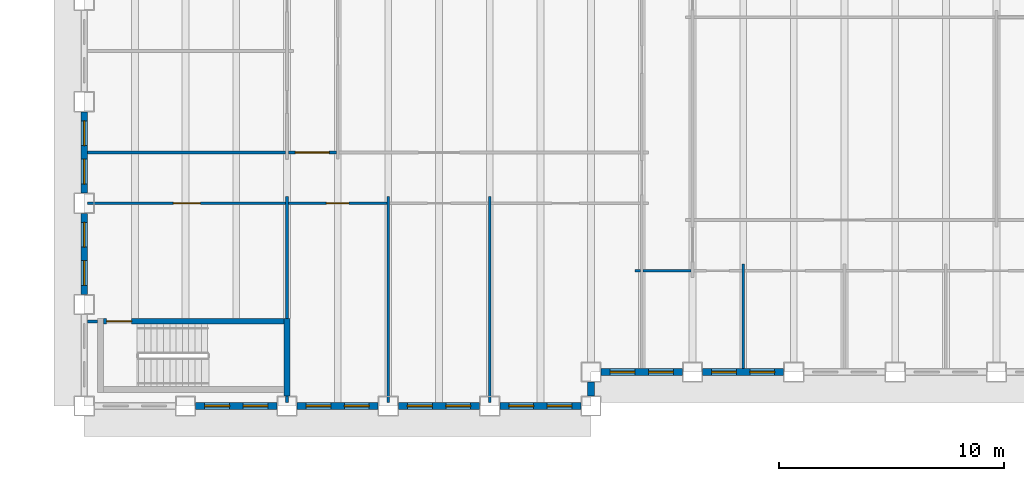
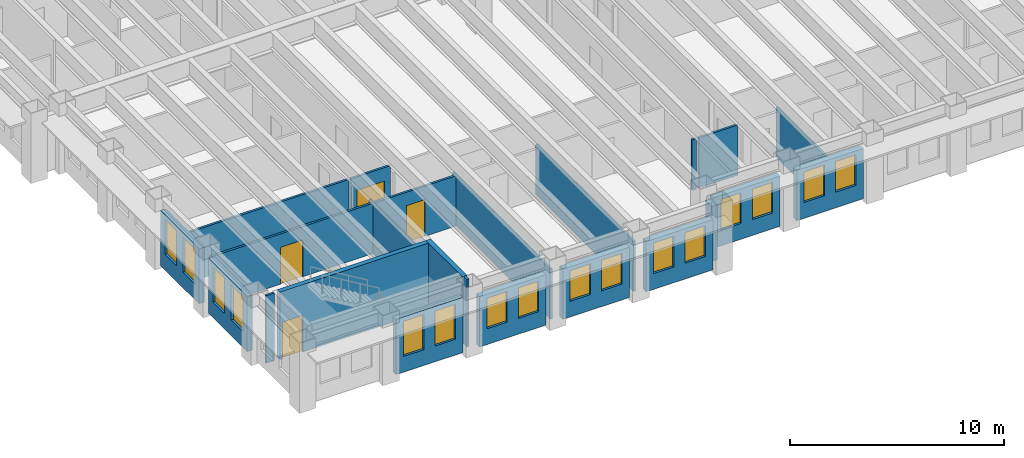
# One storey, part 3 of 16: 23 walls, 16 windows, 4 doors, 20 openings.
"""IFC4 building model written with IfcOpenShell, lengths in metres."""

from ifc_helpers import new_model, si_unit, direction, frame, frame_2d, origin, place, context, subcontext, project, spatial, rectangle, extrude, material, layer, layer_set, type_object, element, fill, save


model = new_model("IFC4")

# Units and contexts
model_context = context("Model", 3, precision=1e-05, world=origin(), true_north=direction((0.0, 1.0)))
body_context = subcontext(model_context, "Body", "Model", "MODEL_VIEW")
ifc_project = project(units=[si_unit("LENGTHUNIT", "METRE"), si_unit("AREAUNIT", "SQUARE_METRE"), si_unit("VOLUMEUNIT", "CUBIC_METRE"), si_unit("PLANEANGLEUNIT", "RADIAN"), si_unit("MASSUNIT", "GRAM", prefix="KILO")], contexts=[model_context])

# Site, building, storey
site_placement = place(None, origin())
site = spatial("IfcSite", under=ifc_project, at=site_placement, CompositionType="ELEMENT")
building_placement = place(site_placement, origin())
building = spatial("IfcBuilding", under=site, at=building_placement, Name="Sennacour Bend Tower", CompositionType="ELEMENT")
storey_placement = place(building_placement, frame((0.0, 0.0, 163.0)))
storey = spatial("IfcBuildingStorey", under=building, at=storey_placement, Name="L37", CompositionType="ELEMENT", Elevation=163.0)

# Walls
ifc_material_1 = material(Name="Plasterboard partition on steel studs", Category="steel")
ifc_layer_1 = layer(ifc_material_1, 0.1201171875, Name="Plasterboard partition on steel studs", Category="steel")
ifc_layer_set_1 = layer_set([ifc_layer_1], Name="Plasterboard partition on steel studs")
wall_type_1 = type_object("IfcWallType", Name="Partition 120", PredefinedType="PARTITIONING", material=ifc_layer_set_1)
wall_1_placement = place(storey_placement, frame((9.0, 0.14990234375, 0.0), z_axis=(0.0, 0.0, 1.0), x_axis=(0.0, 1.0, 0.0)))
element("IfcWall", 1, at=wall_1_placement, inside=storey, type_object=wall_type_1, Name="P-L37-W009a", PredefinedType="PARTITIONING", context=body_context, shape_type="SweptSolid", body=[
    extrude(rectangle(XDim=0.300048828125, YDim=0.1201171875, at=frame_2d((0.14990234375, 0.0))), origin(), (0.0, 0.0, 1.0), 3.85009765625),
])
wall_2_placement = place(storey_placement, frame((9.0, 3.875, 0.0), z_axis=(0.0, 0.0, 1.0), x_axis=(0.0, 1.0, 0.0)))
element("IfcWall", 2, at=wall_2_placement, inside=storey, type_object=wall_type_1, Name="P-L37-W011a", PredefinedType="PARTITIONING", context=body_context, shape_type="SweptSolid", body=[
    extrude(rectangle(XDim=5.425048828125, YDim=0.1201171875, at=frame_2d((2.71240234375, 0.0))), origin(), (0.0, 0.0, 1.0), 2.8701171875),
])
for number, where, z_axis, x_axis, name in (
    (3, (13.5, 0.14990234375, 0.0), (0.0, 0.0, 1.0), (0.0, 1.0, 0.0), "P-L37-W016a"),
    (4, (18.0, 0.14990234375, 0.0), (0.0, 0.0, 1.0), (0.0, 1.0, 0.0), "P-L37-W019a"),
):
    element("IfcWall", number, at=place(storey_placement, frame(where, z_axis=z_axis, x_axis=x_axis)), inside=storey, type_object=wall_type_1, Name=name, PredefinedType="PARTITIONING", context=body_context, shape_type="SweptSolid", body=[
        extrude(rectangle(XDim=9.150146484375, YDim=0.1201171875, at=frame_2d((4.5751953125, 0.0))), origin(), (0.0, 0.0, 1.0), 2.8701171875),
    ])
wall_3_placement = place(storey_placement, frame((29.25, 1.64990234375, 0.0), z_axis=(0.0, 0.0, 1.0), x_axis=(0.0, 1.0, 0.0)))
element("IfcWall", 5, at=wall_3_placement, inside=storey, type_object=wall_type_1, Name="P-L37-W026a", PredefinedType="PARTITIONING", context=body_context, shape_type="SweptSolid", body=[
    extrude(rectangle(XDim=4.650146484375, YDim=0.1201171875, at=frame_2d((2.3251953125, 0.0))), origin(), (0.0, 0.0, 1.0), 2.8701171875),
])
wall_4_placement = place(storey_placement, frame((0.14990234375, 3.75, 0.0), z_axis=(0.0, 0.0, 1.0), x_axis=(1.0, 0.0, 0.0)))
element("IfcWall", 6, at=wall_4_placement, inside=storey, type_object=wall_type_1, Name="P-L37-W054a", PredefinedType="PARTITIONING", context=body_context, shape_type="SweptSolid", body=[
    extrude(rectangle(XDim=0.4501953125, YDim=0.1201171875, at=frame_2d((0.22509765625, 0.0))), origin(), (0.0, 0.0, 1.0), 3.85009765625),
])
wall_5_placement = place(storey_placement, frame((24.449951171875, 6.0, 0.0), z_axis=(0.0, 0.0, 1.0), x_axis=(1.0, 0.0, 0.0)))
element("IfcWall", 7, at=wall_5_placement, inside=storey, type_object=wall_type_1, Name="P-L37-W058aa", PredefinedType="PARTITIONING", context=body_context, shape_type="SweptSolid", body=[
    extrude(rectangle(XDim=0.239990234375, YDim=0.1201171875, at=frame_2d((0.1201171875, 0.0))), origin(), (0.0, 0.0, 1.0), 2.8701171875),
])
wall_6_placement = place(storey_placement, frame((24.81005859375, 6.0, 0.0), z_axis=(0.0, 0.0, 1.0), x_axis=(1.0, 0.0, 0.0)))
element("IfcWall", 8, at=wall_6_placement, inside=storey, type_object=wall_type_1, Name="P-L37-W058ab", PredefinedType="PARTITIONING", context=body_context, shape_type="SweptSolid", body=[
    extrude(rectangle(XDim=2.1298828125, YDim=0.1201171875, at=frame_2d((1.06494140625, 0.0))), origin(), (0.0, 0.0, 1.0), 2.8701171875),
])

# Wall, opening, door
wall_7_placement = place(storey_placement, frame((9.06005859375, 9.0, 0.0), z_axis=(0.0, 0.0, 1.0), x_axis=(1.0, 0.0, 0.0)))
wall_7 = element("IfcWall", 9, at=wall_7_placement, inside=storey, type_object=wall_type_1, Name="P-L37-W061ab", PredefinedType="PARTITIONING", context=body_context, shape_type="SweptSolid", body=[
    extrude(rectangle(XDim=4.3798828125, YDim=0.1201171875, at=frame_2d((2.18994140625, 0.0))), origin(), (0.0, 0.0, 1.0), 2.8701171875),
])
opening_1_placement = place(wall_7_placement, frame((1.68994140625, 0.0, 0.0)))
opening_1 = element("IfcOpeningElement", 10, at=opening_1_placement, cuts=wall_7, Name="Opening OD2", PredefinedType="OPENING", context=body_context, shape_type="SweptSolid", body=[
    extrude(rectangle(XDim=1.0, YDim=2.10009765625, at=frame_2d((0.5, 1.050048828125))), frame((0.0, 0.070068359375, 0.0), z_axis=(0.0, -1.0, 0.0), x_axis=(1.0, 0.0, 0.0)), (0.0, 0.0, 1.0), 0.14013671875),
])
ifc_material_2 = material(Name="Timber", Category="wood")
door_type_1 = type_object("IfcDoorType", Name="DR-OFFICE-1000", OperationType="NOTDEFINED", PredefinedType="DOOR", material=ifc_material_2)
door_1_placement = place(opening_1_placement, origin())
door_1 = element("IfcDoor", 11, at=door_1_placement, inside=storey, type_object=door_type_1, Name="Door", OperationType="SINGLE_SWING_LEFT", OverallHeight=2.10009765625, OverallWidth=1.0, PredefinedType="DOOR", context=body_context, shape_type="SweptSolid", body=[
    extrude(rectangle(XDim=1.0, YDim=2.10009765625, at=frame_2d((0.5, 1.050048828125))), frame((0.0, 0.02490234375, 0.0), z_axis=(0.0, -1.0, 0.0), x_axis=(1.0, 0.0, 0.0)), (0.0, 0.0, 1.0), 0.050048828125),
])
fill(opening_1, door_1)

# Wall
wall_8_placement = place(storey_placement, frame((0.14990234375, 11.25, 0.0), z_axis=(0.0, 0.0, 1.0), x_axis=(1.0, 0.0, 0.0)))
element("IfcWall", 12, at=wall_8_placement, inside=storey, type_object=wall_type_1, Name="P-L37-W063aa", PredefinedType="PARTITIONING", context=body_context, shape_type="SweptSolid", body=[
    extrude(rectangle(XDim=8.7900390625, YDim=0.1201171875, at=frame_2d((4.39501953125, 0.0))), origin(), (0.0, 0.0, 1.0), 2.8701171875),
])

# Wall, opening, door
ifc_layer_2 = layer(ifc_material_1, 0.1201171875, Name="Plasterboard partition on steel studs", Category="steel")
ifc_layer_set_2 = layer_set([ifc_layer_2], Name="Plasterboard partition on steel studs")
wall_type_2 = type_object("IfcWallType", Name="Partition 120 EI 30", PredefinedType="PARTITIONING", material=ifc_layer_set_2)
wall_9_placement = place(storey_placement, frame((0.14990234375, 9.0, 0.0), z_axis=(0.0, 0.0, 1.0), x_axis=(1.0, 0.0, 0.0)))
wall_9 = element("IfcWall", 13, at=wall_9_placement, inside=storey, type_object=wall_type_2, Name="P-L37-W061aa", PredefinedType="PARTITIONING", context=body_context, shape_type="SweptSolid", body=[
    extrude(rectangle(XDim=8.7900390625, YDim=0.1201171875, at=frame_2d((4.39501953125, 0.0))), origin(), (0.0, 0.0, 1.0), 2.8701171875),
])
opening_2_placement = place(wall_9_placement, frame((3.80517578125, 0.0, 0.0)))
opening_2 = element("IfcOpeningElement", 14, at=opening_2_placement, cuts=wall_9, Name="Opening KD2", PredefinedType="OPENING", context=body_context, shape_type="SweptSolid", body=[
    extrude(rectangle(XDim=1.199951171875, YDim=2.10009765625, at=frame_2d((0.60009765625, 1.050048828125))), frame((0.0, 0.070068359375, 0.0), z_axis=(0.0, -1.0, 0.0), x_axis=(1.0, 0.0, 0.0)), (0.0, 0.0, 1.0), 0.14013671875),
])
ifc_material_3 = material(Name="Painted steel", Category="steel")
door_type_2 = type_object("IfcDoorType", Name="DR-CORRIDOR-1200", OperationType="NOTDEFINED", PredefinedType="DOOR", material=ifc_material_3)
door_2_placement = place(opening_2_placement, origin())
door_2 = element("IfcDoor", 15, at=door_2_placement, inside=storey, type_object=door_type_2, Name="Door", OperationType="SINGLE_SWING_LEFT", OverallHeight=2.10009765625, OverallWidth=1.199951171875, PredefinedType="DOOR", context=body_context, shape_type="SweptSolid", body=[
    extrude(rectangle(XDim=1.199951171875, YDim=2.10009765625, at=frame_2d((0.60009765625, 1.050048828125))), frame((0.0, 0.02490234375, 0.0), z_axis=(0.0, -1.0, 0.0), x_axis=(1.0, 0.0, 0.0)), (0.0, 0.0, 1.0), 0.050048828125),
])
fill(opening_2, door_2)

wall_10_placement = place(storey_placement, frame((9.06005859375, 11.25, 0.0), z_axis=(0.0, 0.0, 1.0), x_axis=(1.0, 0.0, 0.0)))
wall_10 = element("IfcWall", 16, at=wall_10_placement, inside=storey, type_object=wall_type_2, Name="P-L37-W063ab", PredefinedType="PARTITIONING", context=body_context, shape_type="SweptSolid", body=[
    extrude(rectangle(XDim=2.1298828125, YDim=0.1201171875, at=frame_2d((1.06494140625, 0.0))), origin(), (0.0, 0.0, 1.0), 2.8701171875),
])
opening_3_placement = place(wall_10_placement, frame((0.31494140625, 0.0, 0.0)))
opening_3 = element("IfcOpeningElement", 17, at=opening_3_placement, cuts=wall_10, Name="Opening KD", PredefinedType="OPENING", context=body_context, shape_type="SweptSolid", body=[
    extrude(rectangle(XDim=1.5, YDim=2.10009765625, at=frame_2d((0.75, 1.050048828125))), frame((0.0, 0.070068359375, 0.0), z_axis=(0.0, -1.0, 0.0), x_axis=(1.0, 0.0, 0.0)), (0.0, 0.0, 1.0), 0.14013671875),
])
door_type_3 = type_object("IfcDoorType", Name="DR-CORRIDOR-1500", OperationType="NOTDEFINED", PredefinedType="DOOR", material=ifc_material_3)
door_3_placement = place(opening_3_placement, origin())
door_3 = element("IfcDoor", 18, at=door_3_placement, inside=storey, type_object=door_type_3, Name="Door", OperationType="SINGLE_SWING_LEFT", OverallHeight=2.10009765625, OverallWidth=1.5, PredefinedType="DOOR", context=body_context, shape_type="SweptSolid", body=[
    extrude(rectangle(XDim=1.5, YDim=2.10009765625, at=frame_2d((0.75, 1.050048828125))), frame((0.0, 0.02490234375, 0.0), z_axis=(0.0, -1.0, 0.0), x_axis=(1.0, 0.0, 0.0)), (0.0, 0.0, 1.0), 0.050048828125),
])
fill(opening_3, door_3)

# Wall, openings, windows
ifc_material_4 = material(Name="Warm limestone cladding", Category="masonry")
ifc_layer_3 = layer(ifc_material_4, 0.050048828125, Name="Warm limestone cladding", Category="masonry")
ifc_material_5 = material(Name="Precast concrete C40/50", Category="concrete")
ifc_layer_4 = layer(ifc_material_5, 0.25, Name="Precast concrete C40/50", Category="concrete")
ifc_layer_set_3 = layer_set([ifc_layer_3, ifc_layer_4], Name="Precast concrete C40/50 with limestone cladding")
wall_type_3 = type_object("IfcWallType", Name="STONE-CLAD PRECAST SPANDREL 300", PredefinedType="STANDARD", material=ifc_layer_set_3)
wall_11_placement = place(storey_placement, frame((4.949951171875, 0.0, 0.0), z_axis=(0.0, 0.0, 1.0), x_axis=(1.0, 0.0, 0.0)))
wall_11 = element("IfcWall", 19, at=wall_11_placement, inside=storey, type_object=wall_type_3, Name="Stone spandrel and pier wall L37 00.01", PredefinedType="STANDARD", context=body_context, shape_type="SweptSolid", body=[
    extrude(rectangle(XDim=3.60009765625, YDim=0.300048828125, at=frame_2d((1.800048828125, 0.0))), origin(), (0.0, 0.0, 1.0), 3.14892578125),
])
opening_4_placement = place(wall_11_placement, frame((0.39990234375, 0.0, 0.89990234375)))
opening_4 = element("IfcOpeningElement", 20, at=opening_4_placement, cuts=wall_11, Name="Opening W19", PredefinedType="OPENING", context=body_context, shape_type="SweptSolid", body=[
    extrude(rectangle(XDim=1.10009765625, YDim=2.0, at=frame_2d((0.550048828125, 1.0))), frame((0.0, 0.16015625, 0.0), z_axis=(0.0, -1.0, 0.0), x_axis=(1.0, 0.0, 0.0)), (0.0, 0.0, 1.0), 0.320068359375),
])
opening_5_placement = place(wall_11_placement, frame((2.10009765625, 0.0, 0.89990234375)))
opening_5 = element("IfcOpeningElement", 21, at=opening_5_placement, cuts=wall_11, Name="Opening W19", PredefinedType="OPENING", context=body_context, shape_type="SweptSolid", body=[
    extrude(rectangle(XDim=1.10009765625, YDim=2.0, at=frame_2d((0.550048828125, 1.0))), frame((0.0, 0.16015625, 0.0), z_axis=(0.0, -1.0, 0.0), x_axis=(1.0, 0.0, 0.0)), (0.0, 0.0, 1.0), 0.320068359375),
])
ifc_material_6 = material(Name="Clear low-emissivity glass", Category="glass")
window_type_1 = type_object("IfcWindowType", Name="WIN-RIBBON-1100x2000", PartitioningType="SINGLE_PANEL", PredefinedType="WINDOW", material=ifc_material_6)
window_1_placement = place(opening_4_placement, origin())
window_1 = element("IfcWindow", 22, at=window_1_placement, inside=storey, type_object=window_type_1, Name="Ribbon window L37 00.01.0", OverallHeight=2.0, OverallWidth=1.10009765625, PartitioningType="SINGLE_PANEL", PredefinedType="WINDOW", context=body_context, shape_type="SweptSolid", body=[
    extrude(rectangle(XDim=1.10009765625, YDim=2.0, at=frame_2d((0.550048828125, 1.0))), frame((0.0, 0.030029296875, 0.0), z_axis=(0.0, -1.0, 0.0), x_axis=(1.0, 0.0, 0.0)), (0.0, 0.0, 1.0), 0.06005859375),
])
fill(opening_4, window_1)
window_2_placement = place(opening_5_placement, origin())
window_2 = element("IfcWindow", 23, at=window_2_placement, inside=storey, type_object=window_type_1, Name="Ribbon window L37 00.01.1", OverallHeight=2.0, OverallWidth=1.10009765625, PartitioningType="SINGLE_PANEL", PredefinedType="WINDOW", context=body_context, shape_type="SweptSolid", body=[
    extrude(rectangle(XDim=1.10009765625, YDim=2.0, at=frame_2d((0.550048828125, 1.0))), frame((0.0, 0.030029296875, 0.0), z_axis=(0.0, -1.0, 0.0), x_axis=(1.0, 0.0, 0.0)), (0.0, 0.0, 1.0), 0.06005859375),
])
fill(opening_5, window_2)

wall_12_placement = place(storey_placement, frame((9.449951171875, 0.0, 0.0), z_axis=(0.0, 0.0, 1.0), x_axis=(1.0, 0.0, 0.0)))
wall_12 = element("IfcWall", 24, at=wall_12_placement, inside=storey, type_object=wall_type_3, Name="Stone spandrel and pier wall L37 00.02", PredefinedType="STANDARD", context=body_context, shape_type="SweptSolid", body=[
    extrude(rectangle(XDim=3.60009765625, YDim=0.300048828125, at=frame_2d((1.800048828125, 0.0))), origin(), (0.0, 0.0, 1.0), 2.8701171875),
])
opening_6_placement = place(wall_12_placement, frame((0.39990234375, 0.0, 0.89990234375)))
opening_6 = element("IfcOpeningElement", 25, at=opening_6_placement, cuts=wall_12, Name="Opening W17", PredefinedType="OPENING", context=body_context, shape_type="SweptSolid", body=[
    extrude(rectangle(XDim=1.10009765625, YDim=1.75, at=frame_2d((0.550048828125, 0.875))), frame((0.0, 0.16015625, 0.0), z_axis=(0.0, -1.0, 0.0), x_axis=(1.0, 0.0, 0.0)), (0.0, 0.0, 1.0), 0.320068359375),
])
opening_7_placement = place(wall_12_placement, frame((2.10009765625, 0.0, 0.89990234375)))
opening_7 = element("IfcOpeningElement", 26, at=opening_7_placement, cuts=wall_12, Name="Opening W17", PredefinedType="OPENING", context=body_context, shape_type="SweptSolid", body=[
    extrude(rectangle(XDim=1.10009765625, YDim=1.75, at=frame_2d((0.550048828125, 0.875))), frame((0.0, 0.16015625, 0.0), z_axis=(0.0, -1.0, 0.0), x_axis=(1.0, 0.0, 0.0)), (0.0, 0.0, 1.0), 0.320068359375),
])
window_type_2 = type_object("IfcWindowType", Name="WIN-RIBBON-1100x1750", PartitioningType="SINGLE_PANEL", PredefinedType="WINDOW", material=ifc_material_6)
window_3_placement = place(opening_6_placement, origin())
window_3 = element("IfcWindow", 27, at=window_3_placement, inside=storey, type_object=window_type_2, Name="Ribbon window L37 00.02.0", OverallHeight=1.75, OverallWidth=1.10009765625, PartitioningType="SINGLE_PANEL", PredefinedType="WINDOW", context=body_context, shape_type="SweptSolid", body=[
    extrude(rectangle(XDim=1.10009765625, YDim=1.75, at=frame_2d((0.550048828125, 0.875))), frame((0.0, 0.030029296875, 0.0), z_axis=(0.0, -1.0, 0.0), x_axis=(1.0, 0.0, 0.0)), (0.0, 0.0, 1.0), 0.06005859375),
])
fill(opening_6, window_3)
window_4_placement = place(opening_7_placement, origin())
window_4 = element("IfcWindow", 28, at=window_4_placement, inside=storey, type_object=window_type_2, Name="Ribbon window L37 00.02.1", OverallHeight=1.75, OverallWidth=1.10009765625, PartitioningType="SINGLE_PANEL", PredefinedType="WINDOW", context=body_context, shape_type="SweptSolid", body=[
    extrude(rectangle(XDim=1.10009765625, YDim=1.75, at=frame_2d((0.550048828125, 0.875))), frame((0.0, 0.030029296875, 0.0), z_axis=(0.0, -1.0, 0.0), x_axis=(1.0, 0.0, 0.0)), (0.0, 0.0, 1.0), 0.06005859375),
])
fill(opening_7, window_4)

wall_13_placement = place(storey_placement, frame((13.949951171875, 0.0, 0.0), z_axis=(0.0, 0.0, 1.0), x_axis=(1.0, 0.0, 0.0)))
wall_13 = element("IfcWall", 29, at=wall_13_placement, inside=storey, type_object=wall_type_3, Name="Stone spandrel and pier wall L37 00.03", PredefinedType="STANDARD", context=body_context, shape_type="SweptSolid", body=[
    extrude(rectangle(XDim=3.60009765625, YDim=0.300048828125, at=frame_2d((1.800048828125, 0.0))), origin(), (0.0, 0.0, 1.0), 2.8701171875),
])
opening_8_placement = place(wall_13_placement, frame((0.39990234375, 0.0, 0.89990234375)))
opening_8 = element("IfcOpeningElement", 30, at=opening_8_placement, cuts=wall_13, Name="Opening W17", PredefinedType="OPENING", context=body_context, shape_type="SweptSolid", body=[
    extrude(rectangle(XDim=1.10009765625, YDim=1.75, at=frame_2d((0.550048828125, 0.875))), frame((0.0, 0.16015625, 0.0), z_axis=(0.0, -1.0, 0.0), x_axis=(1.0, 0.0, 0.0)), (0.0, 0.0, 1.0), 0.320068359375),
])
opening_9_placement = place(wall_13_placement, frame((2.10009765625, 0.0, 0.89990234375)))
opening_9 = element("IfcOpeningElement", 31, at=opening_9_placement, cuts=wall_13, Name="Opening W17", PredefinedType="OPENING", context=body_context, shape_type="SweptSolid", body=[
    extrude(rectangle(XDim=1.10009765625, YDim=1.75, at=frame_2d((0.550048828125, 0.875))), frame((0.0, 0.16015625, 0.0), z_axis=(0.0, -1.0, 0.0), x_axis=(1.0, 0.0, 0.0)), (0.0, 0.0, 1.0), 0.320068359375),
])
window_5_placement = place(opening_8_placement, origin())
window_5 = element("IfcWindow", 32, at=window_5_placement, inside=storey, type_object=window_type_2, Name="Ribbon window L37 00.03.0", OverallHeight=1.75, OverallWidth=1.10009765625, PartitioningType="SINGLE_PANEL", PredefinedType="WINDOW", context=body_context, shape_type="SweptSolid", body=[
    extrude(rectangle(XDim=1.10009765625, YDim=1.75, at=frame_2d((0.550048828125, 0.875))), frame((0.0, 0.030029296875, 0.0), z_axis=(0.0, -1.0, 0.0), x_axis=(1.0, 0.0, 0.0)), (0.0, 0.0, 1.0), 0.06005859375),
])
fill(opening_8, window_5)
window_6_placement = place(opening_9_placement, origin())
window_6 = element("IfcWindow", 33, at=window_6_placement, inside=storey, type_object=window_type_2, Name="Ribbon window L37 00.03.1", OverallHeight=1.75, OverallWidth=1.10009765625, PartitioningType="SINGLE_PANEL", PredefinedType="WINDOW", context=body_context, shape_type="SweptSolid", body=[
    extrude(rectangle(XDim=1.10009765625, YDim=1.75, at=frame_2d((0.550048828125, 0.875))), frame((0.0, 0.030029296875, 0.0), z_axis=(0.0, -1.0, 0.0), x_axis=(1.0, 0.0, 0.0)), (0.0, 0.0, 1.0), 0.06005859375),
])
fill(opening_9, window_6)

wall_14_placement = place(storey_placement, frame((18.449951171875, 0.0, 0.0), z_axis=(0.0, 0.0, 1.0), x_axis=(1.0, 0.0, 0.0)))
wall_14 = element("IfcWall", 34, at=wall_14_placement, inside=storey, type_object=wall_type_3, Name="Stone spandrel and pier wall L37 00.04", PredefinedType="STANDARD", context=body_context, shape_type="SweptSolid", body=[
    extrude(rectangle(XDim=3.60009765625, YDim=0.300048828125, at=frame_2d((1.800048828125, 0.0))), origin(), (0.0, 0.0, 1.0), 2.8701171875),
])
opening_10_placement = place(wall_14_placement, frame((0.39990234375, 0.0, 0.89990234375)))
opening_10 = element("IfcOpeningElement", 35, at=opening_10_placement, cuts=wall_14, Name="Opening W17", PredefinedType="OPENING", context=body_context, shape_type="SweptSolid", body=[
    extrude(rectangle(XDim=1.10009765625, YDim=1.75, at=frame_2d((0.550048828125, 0.875))), frame((0.0, 0.16015625, 0.0), z_axis=(0.0, -1.0, 0.0), x_axis=(1.0, 0.0, 0.0)), (0.0, 0.0, 1.0), 0.320068359375),
])
opening_11_placement = place(wall_14_placement, frame((2.10009765625, 0.0, 0.89990234375)))
opening_11 = element("IfcOpeningElement", 36, at=opening_11_placement, cuts=wall_14, Name="Opening W17", PredefinedType="OPENING", context=body_context, shape_type="SweptSolid", body=[
    extrude(rectangle(XDim=1.10009765625, YDim=1.75, at=frame_2d((0.550048828125, 0.875))), frame((0.0, 0.16015625, 0.0), z_axis=(0.0, -1.0, 0.0), x_axis=(1.0, 0.0, 0.0)), (0.0, 0.0, 1.0), 0.320068359375),
])
window_7_placement = place(opening_10_placement, origin())
window_7 = element("IfcWindow", 37, at=window_7_placement, inside=storey, type_object=window_type_2, Name="Ribbon window L37 00.04.0", OverallHeight=1.75, OverallWidth=1.10009765625, PartitioningType="SINGLE_PANEL", PredefinedType="WINDOW", context=body_context, shape_type="SweptSolid", body=[
    extrude(rectangle(XDim=1.10009765625, YDim=1.75, at=frame_2d((0.550048828125, 0.875))), frame((0.0, 0.030029296875, 0.0), z_axis=(0.0, -1.0, 0.0), x_axis=(1.0, 0.0, 0.0)), (0.0, 0.0, 1.0), 0.06005859375),
])
fill(opening_10, window_7)
window_8_placement = place(opening_11_placement, origin())
window_8 = element("IfcWindow", 38, at=window_8_placement, inside=storey, type_object=window_type_2, Name="Ribbon window L37 00.04.1", OverallHeight=1.75, OverallWidth=1.10009765625, PartitioningType="SINGLE_PANEL", PredefinedType="WINDOW", context=body_context, shape_type="SweptSolid", body=[
    extrude(rectangle(XDim=1.10009765625, YDim=1.75, at=frame_2d((0.550048828125, 0.875))), frame((0.0, 0.030029296875, 0.0), z_axis=(0.0, -1.0, 0.0), x_axis=(1.0, 0.0, 0.0)), (0.0, 0.0, 1.0), 0.06005859375),
])
fill(opening_11, window_8)

# Wall
wall_15_placement = place(storey_placement, frame((22.5, 0.449951171875, 0.0), z_axis=(0.0, 0.0, 1.0), x_axis=(0.0, 1.0, 0.0)))
element("IfcWall", 39, at=wall_15_placement, inside=storey, type_object=wall_type_3, Name="Stone spandrel and pier wall L37 01.00", PredefinedType="STANDARD", context=body_context, shape_type="SweptSolid", body=[
    extrude(rectangle(XDim=0.60009765625, YDim=0.300048828125, at=frame_2d((0.300048828125, 0.0))), origin(), (0.0, 0.0, 1.0), 3.14892578125),
])

# Wall, openings, windows
wall_16_placement = place(storey_placement, frame((22.949951171875, 1.5, 0.0), z_axis=(0.0, 0.0, 1.0), x_axis=(1.0, 0.0, 0.0)))
wall_16 = element("IfcWall", 40, at=wall_16_placement, inside=storey, type_object=wall_type_3, Name="Stone spandrel and pier wall L37 02.00", PredefinedType="STANDARD", context=body_context, shape_type="SweptSolid", body=[
    extrude(rectangle(XDim=3.60009765625, YDim=0.300048828125, at=frame_2d((1.800048828125, 0.0))), origin(), (0.0, 0.0, 1.0), 2.8701171875),
])
opening_12_placement = place(wall_16_placement, frame((0.39990234375, 0.0, 0.89990234375)))
opening_12 = element("IfcOpeningElement", 41, at=opening_12_placement, cuts=wall_16, Name="Opening W17", PredefinedType="OPENING", context=body_context, shape_type="SweptSolid", body=[
    extrude(rectangle(XDim=1.10009765625, YDim=1.75, at=frame_2d((0.550048828125, 0.875))), frame((0.0, 0.16015625, 0.0), z_axis=(0.0, -1.0, 0.0), x_axis=(1.0, 0.0, 0.0)), (0.0, 0.0, 1.0), 0.320068359375),
])
opening_13_placement = place(wall_16_placement, frame((2.10009765625, 0.0, 0.89990234375)))
opening_13 = element("IfcOpeningElement", 42, at=opening_13_placement, cuts=wall_16, Name="Opening W17", PredefinedType="OPENING", context=body_context, shape_type="SweptSolid", body=[
    extrude(rectangle(XDim=1.10009765625, YDim=1.75, at=frame_2d((0.550048828125, 0.875))), frame((0.0, 0.16015625, 0.0), z_axis=(0.0, -1.0, 0.0), x_axis=(1.0, 0.0, 0.0)), (0.0, 0.0, 1.0), 0.320068359375),
])
window_9_placement = place(opening_12_placement, origin())
window_9 = element("IfcWindow", 43, at=window_9_placement, inside=storey, type_object=window_type_2, Name="Ribbon window L37 02.00.0", OverallHeight=1.75, OverallWidth=1.10009765625, PartitioningType="SINGLE_PANEL", PredefinedType="WINDOW", context=body_context, shape_type="SweptSolid", body=[
    extrude(rectangle(XDim=1.10009765625, YDim=1.75, at=frame_2d((0.550048828125, 0.875))), frame((0.0, 0.030029296875, 0.0), z_axis=(0.0, -1.0, 0.0), x_axis=(1.0, 0.0, 0.0)), (0.0, 0.0, 1.0), 0.06005859375),
])
fill(opening_12, window_9)
window_10_placement = place(opening_13_placement, origin())
window_10 = element("IfcWindow", 44, at=window_10_placement, inside=storey, type_object=window_type_2, Name="Ribbon window L37 02.00.1", OverallHeight=1.75, OverallWidth=1.10009765625, PartitioningType="SINGLE_PANEL", PredefinedType="WINDOW", context=body_context, shape_type="SweptSolid", body=[
    extrude(rectangle(XDim=1.10009765625, YDim=1.75, at=frame_2d((0.550048828125, 0.875))), frame((0.0, 0.030029296875, 0.0), z_axis=(0.0, -1.0, 0.0), x_axis=(1.0, 0.0, 0.0)), (0.0, 0.0, 1.0), 0.06005859375),
])
fill(opening_13, window_10)

wall_17_placement = place(storey_placement, frame((27.449951171875, 1.5, 0.0), z_axis=(0.0, 0.0, 1.0), x_axis=(1.0, 0.0, 0.0)))
wall_17 = element("IfcWall", 45, at=wall_17_placement, inside=storey, type_object=wall_type_3, Name="Stone spandrel and pier wall L37 02.01", PredefinedType="STANDARD", context=body_context, shape_type="SweptSolid", body=[
    extrude(rectangle(XDim=3.60009765625, YDim=0.300048828125, at=frame_2d((1.800048828125, 0.0))), origin(), (0.0, 0.0, 1.0), 2.8701171875),
])
opening_14_placement = place(wall_17_placement, frame((0.39990234375, 0.0, 0.89990234375)))
opening_14 = element("IfcOpeningElement", 46, at=opening_14_placement, cuts=wall_17, Name="Opening W17", PredefinedType="OPENING", context=body_context, shape_type="SweptSolid", body=[
    extrude(rectangle(XDim=1.10009765625, YDim=1.75, at=frame_2d((0.550048828125, 0.875))), frame((0.0, 0.16015625, 0.0), z_axis=(0.0, -1.0, 0.0), x_axis=(1.0, 0.0, 0.0)), (0.0, 0.0, 1.0), 0.320068359375),
])
opening_15_placement = place(wall_17_placement, frame((2.10009765625, 0.0, 0.89990234375)))
opening_15 = element("IfcOpeningElement", 47, at=opening_15_placement, cuts=wall_17, Name="Opening W17", PredefinedType="OPENING", context=body_context, shape_type="SweptSolid", body=[
    extrude(rectangle(XDim=1.10009765625, YDim=1.75, at=frame_2d((0.550048828125, 0.875))), frame((0.0, 0.16015625, 0.0), z_axis=(0.0, -1.0, 0.0), x_axis=(1.0, 0.0, 0.0)), (0.0, 0.0, 1.0), 0.320068359375),
])
window_11_placement = place(opening_14_placement, origin())
window_11 = element("IfcWindow", 48, at=window_11_placement, inside=storey, type_object=window_type_2, Name="Ribbon window L37 02.01.0", OverallHeight=1.75, OverallWidth=1.10009765625, PartitioningType="SINGLE_PANEL", PredefinedType="WINDOW", context=body_context, shape_type="SweptSolid", body=[
    extrude(rectangle(XDim=1.10009765625, YDim=1.75, at=frame_2d((0.550048828125, 0.875))), frame((0.0, 0.030029296875, 0.0), z_axis=(0.0, -1.0, 0.0), x_axis=(1.0, 0.0, 0.0)), (0.0, 0.0, 1.0), 0.06005859375),
])
fill(opening_14, window_11)
window_12_placement = place(opening_15_placement, origin())
window_12 = element("IfcWindow", 49, at=window_12_placement, inside=storey, type_object=window_type_2, Name="Ribbon window L37 02.01.1", OverallHeight=1.75, OverallWidth=1.10009765625, PartitioningType="SINGLE_PANEL", PredefinedType="WINDOW", context=body_context, shape_type="SweptSolid", body=[
    extrude(rectangle(XDim=1.10009765625, YDim=1.75, at=frame_2d((0.550048828125, 0.875))), frame((0.0, 0.030029296875, 0.0), z_axis=(0.0, -1.0, 0.0), x_axis=(1.0, 0.0, 0.0)), (0.0, 0.0, 1.0), 0.06005859375),
])
fill(opening_15, window_12)

wall_18_placement = place(storey_placement, frame((0.0, 13.050048828125, 0.0), z_axis=(0.0, 0.0, 1.0), x_axis=(0.0, -1.0, 0.0)))
wall_18 = element("IfcWall", 50, at=wall_18_placement, inside=storey, type_object=wall_type_3, Name="Stone spandrel and pier wall L37 23.02", PredefinedType="STANDARD", context=body_context, shape_type="SweptSolid", body=[
    extrude(rectangle(XDim=3.60009765625, YDim=0.300048828125, at=frame_2d((1.800048828125, 0.0))), origin(), (0.0, 0.0, 1.0), 3.14892578125),
])
opening_16_placement = place(wall_18_placement, frame((0.39990234375, 0.0, 0.89990234375)))
opening_16 = element("IfcOpeningElement", 51, at=opening_16_placement, cuts=wall_18, Name="Opening W19", PredefinedType="OPENING", context=body_context, shape_type="SweptSolid", body=[
    extrude(rectangle(XDim=1.10009765625, YDim=2.0, at=frame_2d((0.550048828125, 1.0))), frame((0.0, 0.16015625, 0.0), z_axis=(0.0, -1.0, 0.0), x_axis=(1.0, 0.0, 0.0)), (0.0, 0.0, 1.0), 0.320068359375),
])
opening_17_placement = place(wall_18_placement, frame((2.10009765625, 0.0, 0.89990234375)))
opening_17 = element("IfcOpeningElement", 52, at=opening_17_placement, cuts=wall_18, Name="Opening W19", PredefinedType="OPENING", context=body_context, shape_type="SweptSolid", body=[
    extrude(rectangle(XDim=1.10009765625, YDim=2.0, at=frame_2d((0.550048828125, 1.0))), frame((0.0, 0.16015625, 0.0), z_axis=(0.0, -1.0, 0.0), x_axis=(1.0, 0.0, 0.0)), (0.0, 0.0, 1.0), 0.320068359375),
])
window_13_placement = place(opening_16_placement, origin())
window_13 = element("IfcWindow", 53, at=window_13_placement, inside=storey, type_object=window_type_1, Name="Ribbon window L37 23.02.0", OverallHeight=2.0, OverallWidth=1.10009765625, PartitioningType="SINGLE_PANEL", PredefinedType="WINDOW", context=body_context, shape_type="SweptSolid", body=[
    extrude(rectangle(XDim=1.10009765625, YDim=2.0, at=frame_2d((0.550048828125, 1.0))), frame((0.0, 0.030029296875, 0.0), z_axis=(0.0, -1.0, 0.0), x_axis=(1.0, 0.0, 0.0)), (0.0, 0.0, 1.0), 0.06005859375),
])
fill(opening_16, window_13)
window_14_placement = place(opening_17_placement, origin())
window_14 = element("IfcWindow", 54, at=window_14_placement, inside=storey, type_object=window_type_1, Name="Ribbon window L37 23.02.1", OverallHeight=2.0, OverallWidth=1.10009765625, PartitioningType="SINGLE_PANEL", PredefinedType="WINDOW", context=body_context, shape_type="SweptSolid", body=[
    extrude(rectangle(XDim=1.10009765625, YDim=2.0, at=frame_2d((0.550048828125, 1.0))), frame((0.0, 0.030029296875, 0.0), z_axis=(0.0, -1.0, 0.0), x_axis=(1.0, 0.0, 0.0)), (0.0, 0.0, 1.0), 0.06005859375),
])
fill(opening_17, window_14)

wall_19_placement = place(storey_placement, frame((0.0, 8.550048828125, 0.0), z_axis=(0.0, 0.0, 1.0), x_axis=(0.0, -1.0, 0.0)))
wall_19 = element("IfcWall", 55, at=wall_19_placement, inside=storey, type_object=wall_type_3, Name="Stone spandrel and pier wall L37 23.03", PredefinedType="STANDARD", context=body_context, shape_type="SweptSolid", body=[
    extrude(rectangle(XDim=3.60009765625, YDim=0.300048828125, at=frame_2d((1.800048828125, 0.0))), origin(), (0.0, 0.0, 1.0), 3.14892578125),
])
opening_18_placement = place(wall_19_placement, frame((0.39990234375, 0.0, 0.89990234375)))
opening_18 = element("IfcOpeningElement", 56, at=opening_18_placement, cuts=wall_19, Name="Opening W19", PredefinedType="OPENING", context=body_context, shape_type="SweptSolid", body=[
    extrude(rectangle(XDim=1.10009765625, YDim=2.0, at=frame_2d((0.550048828125, 1.0))), frame((0.0, 0.16015625, 0.0), z_axis=(0.0, -1.0, 0.0), x_axis=(1.0, 0.0, 0.0)), (0.0, 0.0, 1.0), 0.320068359375),
])
opening_19_placement = place(wall_19_placement, frame((2.10009765625, 0.0, 0.89990234375)))
opening_19 = element("IfcOpeningElement", 57, at=opening_19_placement, cuts=wall_19, Name="Opening W19", PredefinedType="OPENING", context=body_context, shape_type="SweptSolid", body=[
    extrude(rectangle(XDim=1.10009765625, YDim=2.0, at=frame_2d((0.550048828125, 1.0))), frame((0.0, 0.16015625, 0.0), z_axis=(0.0, -1.0, 0.0), x_axis=(1.0, 0.0, 0.0)), (0.0, 0.0, 1.0), 0.320068359375),
])
window_15_placement = place(opening_18_placement, origin())
window_15 = element("IfcWindow", 58, at=window_15_placement, inside=storey, type_object=window_type_1, Name="Ribbon window L37 23.03.0", OverallHeight=2.0, OverallWidth=1.10009765625, PartitioningType="SINGLE_PANEL", PredefinedType="WINDOW", context=body_context, shape_type="SweptSolid", body=[
    extrude(rectangle(XDim=1.10009765625, YDim=2.0, at=frame_2d((0.550048828125, 1.0))), frame((0.0, 0.030029296875, 0.0), z_axis=(0.0, -1.0, 0.0), x_axis=(1.0, 0.0, 0.0)), (0.0, 0.0, 1.0), 0.06005859375),
])
fill(opening_18, window_15)
window_16_placement = place(opening_19_placement, origin())
window_16 = element("IfcWindow", 59, at=window_16_placement, inside=storey, type_object=window_type_1, Name="Ribbon window L37 23.03.1", OverallHeight=2.0, OverallWidth=1.10009765625, PartitioningType="SINGLE_PANEL", PredefinedType="WINDOW", context=body_context, shape_type="SweptSolid", body=[
    extrude(rectangle(XDim=1.10009765625, YDim=2.0, at=frame_2d((0.550048828125, 1.0))), frame((0.0, 0.030029296875, 0.0), z_axis=(0.0, -1.0, 0.0), x_axis=(1.0, 0.0, 0.0)), (0.0, 0.0, 1.0), 0.06005859375),
])
fill(opening_19, window_16)

# Wall
ifc_material_7 = material(Name="Concrete C60/75", Category="concrete")
ifc_layer_5 = layer(ifc_material_7, 0.25, Name="Concrete C60/75", Category="concrete")
ifc_layer_set_4 = layer_set([ifc_layer_5], Name="Concrete C60/75")
wall_type_4 = type_object("IfcWallType", Name="Stair wall 250", PredefinedType="SHEAR", material=ifc_layer_set_4)
wall_20_placement = place(storey_placement, frame((9.0, 0.449951171875, 0.0), z_axis=(0.0, 0.0, 1.0), x_axis=(0.0, 1.0, 0.0)))
element("IfcWall", 60, at=wall_20_placement, inside=storey, type_object=wall_type_4, Name="P-L37-W010", PredefinedType="SHEAR", context=body_context, shape_type="SweptSolid", body=[
    extrude(rectangle(XDim=3.425048828125, YDim=0.25, at=frame_2d((1.71240234375, 0.0))), origin(), (0.0, 0.0, 1.0), 3.85009765625),
])

# Wall, opening, door
wall_21_placement = place(storey_placement, frame((0.85009765625, 3.75, 0.0), z_axis=(0.0, 0.0, 1.0), x_axis=(1.0, 0.0, 0.0)))
wall_21 = element("IfcWall", 61, at=wall_21_placement, inside=storey, type_object=wall_type_4, Name="P-L37-W055", PredefinedType="SHEAR", context=body_context, shape_type="SweptSolid", body=[
    extrude(rectangle(XDim=8.02490234375, YDim=0.25, at=frame_2d((4.012451171875, 0.0))), origin(), (0.0, 0.0, 1.0), 3.85009765625),
])
opening_20_placement = place(wall_21_placement, frame((0.14990234375, 0.0, 0.0)))
opening_20 = element("IfcOpeningElement", 62, at=opening_20_placement, cuts=wall_21, Name="Opening SD", PredefinedType="OPENING", context=body_context, shape_type="SweptSolid", body=[
    extrude(rectangle(XDim=1.10009765625, YDim=2.10009765625, at=frame_2d((0.550048828125, 1.050048828125))), frame((0.0, 0.135009765625, 0.0), z_axis=(0.0, -1.0, 0.0), x_axis=(1.0, 0.0, 0.0)), (0.0, 0.0, 1.0), 0.27001953125),
])
door_type_4 = type_object("IfcDoorType", Name="DR-STAIR-1100", OperationType="NOTDEFINED", PredefinedType="DOOR", material=ifc_material_3)
door_4_placement = place(opening_20_placement, origin())
door_4 = element("IfcDoor", 63, at=door_4_placement, inside=storey, type_object=door_type_4, Name="Door", OperationType="SINGLE_SWING_LEFT", OverallHeight=2.10009765625, OverallWidth=1.10009765625, PredefinedType="DOOR", context=body_context, shape_type="SweptSolid", body=[
    extrude(rectangle(XDim=1.10009765625, YDim=2.10009765625, at=frame_2d((0.550048828125, 1.050048828125))), frame((0.0, 0.02490234375, 0.0), z_axis=(0.0, -1.0, 0.0), x_axis=(1.0, 0.0, 0.0)), (0.0, 0.0, 1.0), 0.050048828125),
])
fill(opening_20, door_4)

save(model, "model.ifc")
